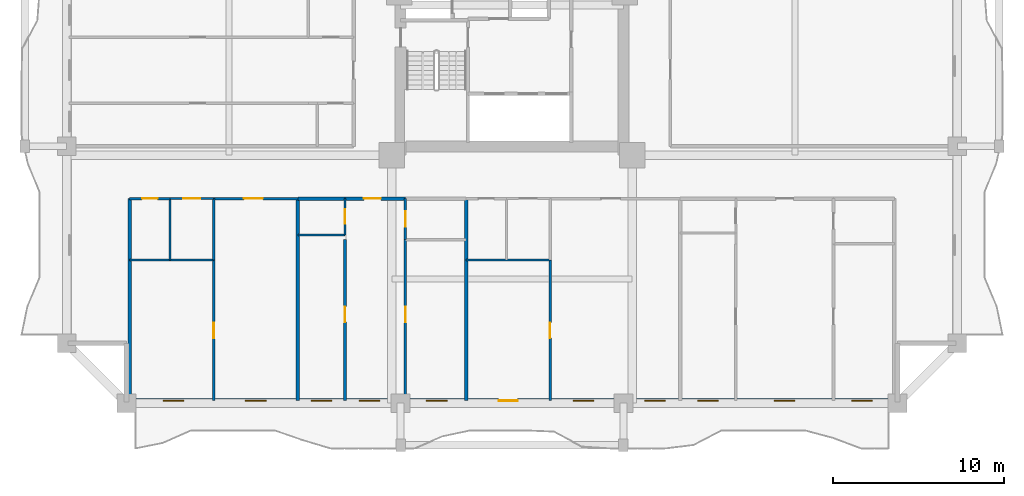
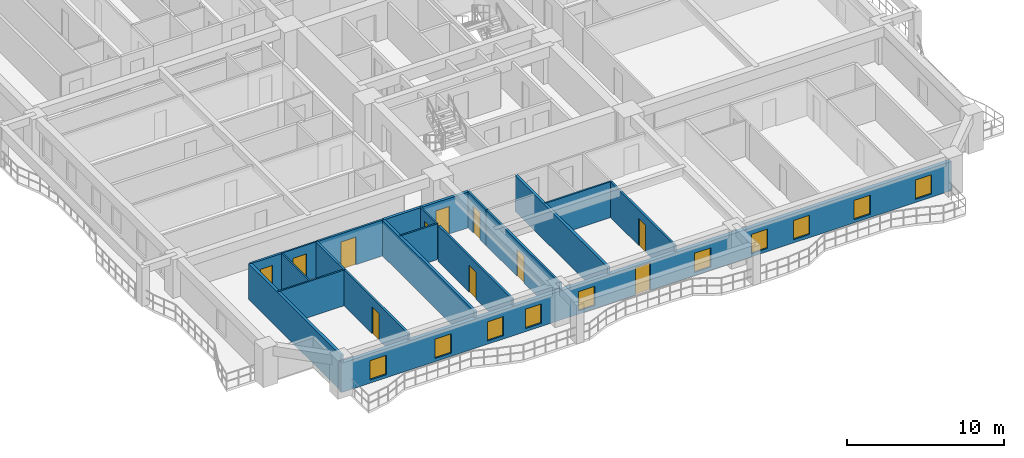
# One storey, part 2 of 15: 20 walls, 11 doors, 10 windows, 21 openings.
"""IFC4 building model written with IfcOpenShell, lengths in metres."""

from ifc_helpers import new_model, si_unit, direction, frame, frame_2d, origin, place, context, subcontext, project, spatial, rectangle, extrude, source, transform, mapped, material, layer, layer_set, type_object, element, fill, save


model = new_model("IFC4")

# Units and contexts
model_context = context("Model", 3, precision=1e-05, world=origin(), true_north=direction((0.0, 1.0)))
body_context = subcontext(model_context, "Body", "Model", "MODEL_VIEW")
ifc_project = project(units=[si_unit("LENGTHUNIT", "METRE"), si_unit("AREAUNIT", "SQUARE_METRE"), si_unit("VOLUMEUNIT", "CUBIC_METRE"), si_unit("PLANEANGLEUNIT", "RADIAN"), si_unit("MASSUNIT", "GRAM", prefix="KILO")], contexts=[model_context])

# Site, building, storey
site_placement = place(None, origin())
site = spatial("IfcSite", under=ifc_project, at=site_placement, CompositionType="ELEMENT")
building_placement = place(site_placement, origin())
building = spatial("IfcBuilding", under=site, at=building_placement, Name="Saelheon Loggia Tower", CompositionType="ELEMENT")
storey_placement = place(building_placement, frame((0.0, 0.0, 49.39990234375)))
storey = spatial("IfcBuildingStorey", under=building, at=storey_placement, Name="L15", CompositionType="ELEMENT", Elevation=49.39990234375)

# Wall, openings, windows, door
ifc_material_1 = material(Name="Architectural Precast Concrete C40/50", Category="concrete")
ifc_layer_1 = layer(ifc_material_1, 0.280029296875)
ifc_layer_set_1 = layer_set([ifc_layer_1], Name="Architectural Precast Concrete C40/50")
wall_type_1 = type_object("IfcWallType", Name="Wall_Ext_Loggia_280", PredefinedType="SOLIDWALL", material=ifc_layer_set_1)
wall_1_placement = place(storey_placement, frame((15.5, 3.139892578125, 0.0), z_axis=(0.0, 0.0, 1.0), x_axis=(1.0, 0.0, 0.0)))
wall_1 = element("IfcWall", 1, at=wall_1_placement, inside=storey, type_object=wall_type_1, Name="L15 South Loggia Inner Wall", PredefinedType="SOLIDWALL", context=body_context, shape_type="SweptSolid", body=[
    extrude(rectangle(XDim=45.0, YDim=0.280029296875, at=frame_2d((22.5, 0.0))), origin(), (0.0, 0.0, 1.0), 2.280029296875),
])
opening_1_placement = place(wall_1_placement, frame((2.135009765625, 0.0, 0.25)))
opening_1 = element("IfcOpeningElement", 2, at=opening_1_placement, cuts=wall_1, Name="Opening WN-03", PredefinedType="OPENING", context=body_context, shape_type="SweptSolid", body=[
    extrude(rectangle(XDim=1.199951171875, YDim=1.5, at=frame_2d((0.60009765625, 0.75))), frame((0.0, 0.152099609375, 0.0), z_axis=(0.0, -1.0, 0.0), x_axis=(1.0, 0.0, 0.0)), (0.0, 0.0, 1.0), 0.303955078125),
])
opening_2_placement = place(wall_1_placement, frame((6.9404296875, 0.0, 0.25)))
opening_2 = element("IfcOpeningElement", 3, at=opening_2_placement, cuts=wall_1, Name="Opening WN-03", PredefinedType="OPENING", context=body_context, shape_type="SweptSolid", body=[
    extrude(rectangle(XDim=1.199951171875, YDim=1.5, at=frame_2d((0.60009765625, 0.75))), frame((0.0, 0.152099609375, 0.0), z_axis=(0.0, -1.0, 0.0), x_axis=(1.0, 0.0, 0.0)), (0.0, 0.0, 1.0), 0.303955078125),
])
opening_3_placement = place(wall_1_placement, frame((10.775634765625, 0.0, 0.25)))
opening_3 = element("IfcOpeningElement", 4, at=opening_3_placement, cuts=wall_1, Name="Opening WN-03", PredefinedType="OPENING", context=body_context, shape_type="SweptSolid", body=[
    extrude(rectangle(XDim=1.199951171875, YDim=1.5, at=frame_2d((0.60009765625, 0.75))), frame((0.0, 0.152099609375, 0.0), z_axis=(0.0, -1.0, 0.0), x_axis=(1.0, 0.0, 0.0)), (0.0, 0.0, 1.0), 0.303955078125),
])
opening_4_placement = place(wall_1_placement, frame((13.580322265625, 0.0, 0.25)))
opening_4 = element("IfcOpeningElement", 5, at=opening_4_placement, cuts=wall_1, Name="Opening WN-03", PredefinedType="OPENING", context=body_context, shape_type="SweptSolid", body=[
    extrude(rectangle(XDim=1.199951171875, YDim=1.5, at=frame_2d((0.60009765625, 0.75))), frame((0.0, 0.152099609375, 0.0), z_axis=(0.0, -1.0, 0.0), x_axis=(1.0, 0.0, 0.0)), (0.0, 0.0, 1.0), 0.303955078125),
])
opening_5_placement = place(wall_1_placement, frame((17.505859375, 0.0, 0.25)))
opening_5 = element("IfcOpeningElement", 6, at=opening_5_placement, cuts=wall_1, Name="Opening WN-03", PredefinedType="OPENING", context=body_context, shape_type="SweptSolid", body=[
    extrude(rectangle(XDim=1.199951171875, YDim=1.5, at=frame_2d((0.60009765625, 0.75))), frame((0.0, 0.152099609375, 0.0), z_axis=(0.0, -1.0, 0.0), x_axis=(1.0, 0.0, 0.0)), (0.0, 0.0, 1.0), 0.303955078125),
])
opening_6_placement = place(wall_1_placement, frame((22.82177734375, 0.0, 0.0), z_axis=(0.0, 0.0, 1.0), x_axis=(-1.0, 0.0, 0.0)))
opening_6 = element("IfcOpeningElement", 7, at=opening_6_placement, cuts=wall_1, Name="Opening TD1", PredefinedType="OPENING", context=body_context, shape_type="SweptSolid", body=[
    extrude(rectangle(XDim=1.10009765625, YDim=2.14990234375, at=frame_2d((0.550048828125, 1.074951171875))), frame((0.0, 0.152099609375, 0.0), z_axis=(0.0, -1.0, 0.0), x_axis=(1.0, 0.0, 0.0)), (0.0, 0.0, 1.0), 0.303955078125),
])
opening_7_placement = place(wall_1_placement, frame((26.06591796875, 0.0, 0.25)))
opening_7 = element("IfcOpeningElement", 8, at=opening_7_placement, cuts=wall_1, Name="Opening WN-03", PredefinedType="OPENING", context=body_context, shape_type="SweptSolid", body=[
    extrude(rectangle(XDim=1.199951171875, YDim=1.5, at=frame_2d((0.60009765625, 0.75))), frame((0.0, 0.152099609375, 0.0), z_axis=(0.0, -1.0, 0.0), x_axis=(1.0, 0.0, 0.0)), (0.0, 0.0, 1.0), 0.303955078125),
])
opening_8_placement = place(wall_1_placement, frame((30.25537109375, 0.0, 0.25)))
opening_8 = element("IfcOpeningElement", 9, at=opening_8_placement, cuts=wall_1, Name="Opening WN-03", PredefinedType="OPENING", context=body_context, shape_type="SweptSolid", body=[
    extrude(rectangle(XDim=1.199951171875, YDim=1.5, at=frame_2d((0.60009765625, 0.75))), frame((0.0, 0.152099609375, 0.0), z_axis=(0.0, -1.0, 0.0), x_axis=(1.0, 0.0, 0.0)), (0.0, 0.0, 1.0), 0.303955078125),
])
opening_9_placement = place(wall_1_placement, frame((33.345703125, 0.0, 0.25)))
opening_9 = element("IfcOpeningElement", 10, at=opening_9_placement, cuts=wall_1, Name="Opening WN-03", PredefinedType="OPENING", context=body_context, shape_type="SweptSolid", body=[
    extrude(rectangle(XDim=1.199951171875, YDim=1.5, at=frame_2d((0.60009765625, 0.75))), frame((0.0, 0.152099609375, 0.0), z_axis=(0.0, -1.0, 0.0), x_axis=(1.0, 0.0, 0.0)), (0.0, 0.0, 1.0), 0.303955078125),
])
opening_10_placement = place(wall_1_placement, frame((37.8212890625, 0.0, 0.25)))
opening_10 = element("IfcOpeningElement", 11, at=opening_10_placement, cuts=wall_1, Name="Opening WN-03", PredefinedType="OPENING", context=body_context, shape_type="SweptSolid", body=[
    extrude(rectangle(XDim=1.199951171875, YDim=1.5, at=frame_2d((0.60009765625, 0.75))), frame((0.0, 0.152099609375, 0.0), z_axis=(0.0, -1.0, 0.0), x_axis=(1.0, 0.0, 0.0)), (0.0, 0.0, 1.0), 0.303955078125),
])
opening_11_placement = place(wall_1_placement, frame((42.341064453125, 0.0, 0.25)))
opening_11 = element("IfcOpeningElement", 12, at=opening_11_placement, cuts=wall_1, Name="Opening WN-03", PredefinedType="OPENING", context=body_context, shape_type="SweptSolid", body=[
    extrude(rectangle(XDim=1.199951171875, YDim=1.5, at=frame_2d((0.60009765625, 0.75))), frame((0.0, 0.152099609375, 0.0), z_axis=(0.0, -1.0, 0.0), x_axis=(1.0, 0.0, 0.0)), (0.0, 0.0, 1.0), 0.303955078125),
])
ifc_material_2 = material(Name="Thermal-Break Aluminium and Triple Low-E Glass", Category="aluminium")
window_type = type_object("IfcWindowType", Name="Win_Bedroom_1200x1500", PartitioningType="SINGLE_PANEL", PredefinedType="WINDOW", material=ifc_material_2)
shared_shape_1 = source(origin(), body_context, "Body", "SweptSolid", [
    extrude(rectangle(XDim=1.199951171875, YDim=1.5, at=frame_2d((0.60009765625, 0.75))), frame((0.0, 0.030029296875, 0.0), z_axis=(0.0, -1.0, 0.0), x_axis=(1.0, 0.0, 0.0)), (0.0, 0.0, 1.0), 0.06005859375),
])
window_1_placement = place(opening_1_placement, origin())
window_1 = element("IfcWindow", 13, at=window_1_placement, inside=storey, type_object=window_type, Name="L15 S Dwelling Window 1", OverallHeight=1.5, OverallWidth=1.199951171875, PartitioningType="SINGLE_PANEL", PredefinedType="WINDOW", context=body_context, shape_type="MappedRepresentation", body=[
    mapped(shared_shape_1, transform((0.0, 0.0, 0.0), scale=1.0)),
])
fill(opening_1, window_1)
window_2_placement = place(opening_2_placement, origin())
window_2 = element("IfcWindow", 14, at=window_2_placement, inside=storey, type_object=window_type, Name="L15 S Dwelling Window 2", OverallHeight=1.5, OverallWidth=1.199951171875, PartitioningType="SINGLE_PANEL", PredefinedType="WINDOW", context=body_context, shape_type="MappedRepresentation", body=[
    mapped(shared_shape_1, transform((0.0, 0.0, 0.0), scale=1.0)),
])
fill(opening_2, window_2)
window_3_placement = place(opening_3_placement, origin())
window_3 = element("IfcWindow", 15, at=window_3_placement, inside=storey, type_object=window_type, Name="L15 S Dwelling Window 3", OverallHeight=1.5, OverallWidth=1.199951171875, PartitioningType="SINGLE_PANEL", PredefinedType="WINDOW", context=body_context, shape_type="MappedRepresentation", body=[
    mapped(shared_shape_1, transform((0.0, 0.0, 0.0), scale=1.0)),
])
fill(opening_3, window_3)
window_4_placement = place(opening_4_placement, origin())
window_4 = element("IfcWindow", 16, at=window_4_placement, inside=storey, type_object=window_type, Name="L15 S Dwelling Window 4", OverallHeight=1.5, OverallWidth=1.199951171875, PartitioningType="SINGLE_PANEL", PredefinedType="WINDOW", context=body_context, shape_type="MappedRepresentation", body=[
    mapped(shared_shape_1, transform((0.0, 0.0, 0.0), scale=1.0)),
])
fill(opening_4, window_4)
window_5_placement = place(opening_5_placement, origin())
window_5 = element("IfcWindow", 17, at=window_5_placement, inside=storey, type_object=window_type, Name="L15 S Dwelling Window 5", OverallHeight=1.5, OverallWidth=1.199951171875, PartitioningType="SINGLE_PANEL", PredefinedType="WINDOW", context=body_context, shape_type="MappedRepresentation", body=[
    mapped(shared_shape_1, transform((0.0, 0.0, 0.0), scale=1.0)),
])
fill(opening_5, window_5)
window_6_placement = place(opening_7_placement, origin())
window_6 = element("IfcWindow", 18, at=window_6_placement, inside=storey, type_object=window_type, Name="L15 S Dwelling Window 7", OverallHeight=1.5, OverallWidth=1.199951171875, PartitioningType="SINGLE_PANEL", PredefinedType="WINDOW", context=body_context, shape_type="MappedRepresentation", body=[
    mapped(shared_shape_1, transform((0.0, 0.0, 0.0), scale=1.0)),
])
fill(opening_7, window_6)
window_7_placement = place(opening_8_placement, origin())
window_7 = element("IfcWindow", 19, at=window_7_placement, inside=storey, type_object=window_type, Name="L15 S Dwelling Window 8", OverallHeight=1.5, OverallWidth=1.199951171875, PartitioningType="SINGLE_PANEL", PredefinedType="WINDOW", context=body_context, shape_type="MappedRepresentation", body=[
    mapped(shared_shape_1, transform((0.0, 0.0, 0.0), scale=1.0)),
])
fill(opening_8, window_7)
window_8_placement = place(opening_9_placement, origin())
window_8 = element("IfcWindow", 20, at=window_8_placement, inside=storey, type_object=window_type, Name="L15 S Dwelling Window 9", OverallHeight=1.5, OverallWidth=1.199951171875, PartitioningType="SINGLE_PANEL", PredefinedType="WINDOW", context=body_context, shape_type="MappedRepresentation", body=[
    mapped(shared_shape_1, transform((0.0, 0.0, 0.0), scale=1.0)),
])
fill(opening_9, window_8)
window_9_placement = place(opening_10_placement, origin())
window_9 = element("IfcWindow", 21, at=window_9_placement, inside=storey, type_object=window_type, Name="L15 S Dwelling Window 10", OverallHeight=1.5, OverallWidth=1.199951171875, PartitioningType="SINGLE_PANEL", PredefinedType="WINDOW", context=body_context, shape_type="MappedRepresentation", body=[
    mapped(shared_shape_1, transform((0.0, 0.0, 0.0), scale=1.0)),
])
fill(opening_10, window_9)
window_10_placement = place(opening_11_placement, origin())
window_10 = element("IfcWindow", 22, at=window_10_placement, inside=storey, type_object=window_type, Name="L15 S Dwelling Window 11", OverallHeight=1.5, OverallWidth=1.199951171875, PartitioningType="SINGLE_PANEL", PredefinedType="WINDOW", context=body_context, shape_type="MappedRepresentation", body=[
    mapped(shared_shape_1, transform((0.0, 0.0, 0.0), scale=1.0)),
])
fill(opening_11, window_10)
ifc_material_3 = material(Name="Thermal-Break Aluminium Glazed Door", Category="aluminium")
door_type_1 = type_object("IfcDoorType", Name="Door_Terrace_TD1", OperationType="NOTDEFINED", PredefinedType="DOOR", material=ifc_material_3)
shared_shape_2 = source(origin(), body_context, "Body", "SweptSolid", [
    extrude(rectangle(XDim=1.10009765625, YDim=2.14990234375, at=frame_2d((0.550048828125, 1.074951171875))), frame((0.0, 0.02490234375, 0.0), z_axis=(0.0, -1.0, 0.0), x_axis=(1.0, 0.0, 0.0)), (0.0, 0.0, 1.0), 0.050048828125),
])
door_1_placement = place(opening_6_placement, origin())
door_1 = element("IfcDoor", 23, at=door_1_placement, inside=storey, type_object=door_type_1, Name="L15 S Loggia Access Door", OperationType="SINGLE_SWING_RIGHT", OverallHeight=2.14990234375, OverallWidth=1.10009765625, PredefinedType="DOOR", context=body_context, shape_type="MappedRepresentation", body=[
    mapped(shared_shape_2, transform((0.0, 0.0, 0.0), scale=1.0)),
])
fill(opening_6, door_1)

# Wall
ifc_material_4 = material(Name="Lightweight Autoclaved Aerated Concrete Block and Acoustic Gypsum", Category="concrete")
ifc_layer_2 = layer(ifc_material_4, 0.14990234375)
ifc_layer_set_2 = layer_set([ifc_layer_2], Name="Lightweight Autoclaved Aerated Concrete Block and Acoustic Gypsum")
wall_type_2 = type_object("IfcWallType", Name="Wall_Part_150", PredefinedType="PARTITIONING", material=ifc_layer_set_2)
wall_2_placement = place(storey_placement, frame((20.580078125, 14.949951171875, 0.0), z_axis=(0.0, 0.0, 1.0), x_axis=(0.0, -1.0, 0.0)))
element("IfcWall", 24, at=wall_2_placement, inside=storey, type_object=wall_type_2, Name="L15 S Partition U04", PredefinedType="PARTITIONING", context=body_context, shape_type="SweptSolid", body=[
    extrude(rectangle(XDim=3.599853515625, YDim=0.14990234375, at=frame_2d((1.7998046875, 0.0))), origin(), (0.0, 0.0, 1.0), 2.7900390625),
])

# Wall, opening, door
wall_3_placement = place(storey_placement, frame((20.580078125, 11.35009765625, 0.0), z_axis=(0.0, 0.0, 1.0), x_axis=(0.0, -1.0, 0.0)))
wall_3 = element("IfcWall", 25, at=wall_3_placement, inside=storey, type_object=wall_type_2, Name="L15 S Partition U05", PredefinedType="PARTITIONING", context=body_context, shape_type="SweptSolid", body=[
    extrude(rectangle(XDim=8.2001953125, YDim=0.14990234375, at=frame_2d((4.10009765625, 0.0))), origin(), (0.0, 0.0, 1.0), 2.7900390625),
])
opening_12_placement = place(wall_3_placement, frame((3.64990234375, 0.0, 0.0)))
opening_12 = element("IfcOpeningElement", 26, at=opening_12_placement, cuts=wall_3, Name="Opening D-IN2", PredefinedType="OPENING", context=body_context, shape_type="SweptSolid", body=[
    extrude(rectangle(XDim=0.89990234375, YDim=2.10009765625, at=frame_2d((0.449951171875, 1.050048828125))), frame((0.0, 0.0869140625, 0.0), z_axis=(0.0, -1.0, 0.0), x_axis=(1.0, 0.0, 0.0)), (0.0, 0.0, 1.0), 0.173828125),
])
ifc_material_5 = material(Name="Engineered Oak Flush Door", Category="timber")
door_type_2 = type_object("IfcDoorType", Name="Door_Int_900", OperationType="NOTDEFINED", PredefinedType="DOOR", material=ifc_material_5)
shared_shape_3 = source(origin(), body_context, "Body", "SweptSolid", [
    extrude(rectangle(XDim=0.89990234375, YDim=2.10009765625, at=frame_2d((0.449951171875, 1.050048828125))), frame((0.0, 0.02490234375, 0.0), z_axis=(0.0, -1.0, 0.0), x_axis=(1.0, 0.0, 0.0)), (0.0, 0.0, 1.0), 0.050048828125),
])
door_2_placement = place(opening_12_placement, origin())
door_2 = element("IfcDoor", 27, at=door_2_placement, inside=storey, type_object=door_type_2, Name="L15 Reading Alcove Door", OperationType="SINGLE_SWING_LEFT", OverallHeight=2.10009765625, OverallWidth=0.89990234375, PredefinedType="DOOR", context=body_context, shape_type="MappedRepresentation", body=[
    mapped(shared_shape_3, transform((0.0, 0.0, 0.0), scale=1.0)),
])
fill(opening_12, door_2)

wall_4_placement = place(storey_placement, frame((15.679931640625, 14.949951171875, 0.0), z_axis=(0.0, 0.0, 1.0), x_axis=(1.0, 0.0, 0.0)))
wall_4 = element("IfcWall", 28, at=wall_4_placement, inside=storey, type_object=wall_type_2, Name="L15 S Partition V07", PredefinedType="PARTITIONING", context=body_context, shape_type="SweptSolid", body=[
    extrude(rectangle(XDim=2.35009765625, YDim=0.14990234375, at=frame_2d((1.175048828125, 0.0))), origin(), (0.0, 0.0, 1.0), 2.7900390625),
])
opening_13_placement = place(wall_4_placement, frame((0.72509765625, 0.0, 0.0)))
opening_13 = element("IfcOpeningElement", 29, at=opening_13_placement, cuts=wall_4, Name="Opening D-IN2", PredefinedType="OPENING", context=body_context, shape_type="SweptSolid", body=[
    extrude(rectangle(XDim=0.89990234375, YDim=2.10009765625, at=frame_2d((0.449951171875, 1.050048828125))), frame((0.0, 0.0869140625, 0.0), z_axis=(0.0, -1.0, 0.0), x_axis=(1.0, 0.0, 0.0)), (0.0, 0.0, 1.0), 0.173828125),
])
door_3_placement = place(opening_13_placement, origin())
door_3 = element("IfcDoor", 30, at=door_3_placement, inside=storey, type_object=door_type_2, Name="L15 Community Pantry Door", OperationType="SINGLE_SWING_RIGHT", OverallHeight=2.10009765625, OverallWidth=0.89990234375, PredefinedType="DOOR", context=body_context, shape_type="MappedRepresentation", body=[
    mapped(shared_shape_3, transform((0.0, 0.0, 0.0), scale=1.0)),
])
fill(opening_13, door_3)

wall_5_placement = place(storey_placement, frame((20.580078125, 14.949951171875, 0.0), z_axis=(0.0, 0.0, 1.0), x_axis=(1.0, 0.0, 0.0)))
wall_5 = element("IfcWall", 31, at=wall_5_placement, inside=storey, type_object=wall_type_2, Name="L15 S Partition V09", PredefinedType="PARTITIONING", context=body_context, shape_type="SweptSolid", body=[
    extrude(rectangle(XDim=4.920654296875, YDim=0.14990234375, at=frame_2d((2.46044921875, 0.0))), origin(), (0.0, 0.0, 1.0), 2.7900390625),
])
opening_14_placement = place(wall_5_placement, frame((1.77294921875, 0.0, 0.0)))
opening_14 = element("IfcOpeningElement", 32, at=opening_14_placement, cuts=wall_5, Name="Opening D-FD2", PredefinedType="OPENING", context=body_context, shape_type="SweptSolid", body=[
    extrude(rectangle(XDim=1.10009765625, YDim=2.14990234375, at=frame_2d((0.550048828125, 1.074951171875))), frame((0.0, 0.0869140625, 0.0), z_axis=(0.0, -1.0, 0.0), x_axis=(1.0, 0.0, 0.0)), (0.0, 0.0, 1.0), 0.173828125),
])
ifc_material_6 = material(Name="Galvanised Steel Fire Door", Category="steel")
door_type_3 = type_object("IfcDoorType", Name="Door_Fire_FD60_1100", OperationType="NOTDEFINED", PredefinedType="DOOR", material=ifc_material_6)
door_4_placement = place(opening_14_placement, origin())
door_4 = element("IfcDoor", 33, at=door_4_placement, inside=storey, type_object=door_type_3, Name="L15 Community Reading Library Door A", OperationType="SINGLE_SWING_RIGHT", OverallHeight=2.14990234375, OverallWidth=1.10009765625, PredefinedType="DOOR", context=body_context, shape_type="MappedRepresentation", body=[
    mapped(shared_shape_2, transform((0.0, 0.0, 0.0), scale=1.0)),
])
fill(opening_14, door_4)

wall_6_placement = place(storey_placement, frame((28.25048828125, 12.550048828125, 0.0), z_axis=(0.0, 0.0, 1.0), x_axis=(0.0, -1.0, 0.0)))
wall_6 = element("IfcWall", 34, at=wall_6_placement, inside=storey, type_object=wall_type_2, Name="L15 S Partition U17", PredefinedType="PARTITIONING", context=body_context, shape_type="SweptSolid", body=[
    extrude(rectangle(XDim=9.400146484375, YDim=0.14990234375, at=frame_2d((4.7001953125, 0.0))), origin(), (0.0, 0.0, 1.0), 2.7900390625),
])
opening_15_placement = place(wall_6_placement, frame((3.915771484375, 0.0, 0.0)))
opening_15 = element("IfcOpeningElement", 35, at=opening_15_placement, cuts=wall_6, Name="Opening D-IN2", PredefinedType="OPENING", context=body_context, shape_type="SweptSolid", body=[
    extrude(rectangle(XDim=0.89990234375, YDim=2.10009765625, at=frame_2d((0.449951171875, 1.050048828125))), frame((0.0, 0.0869140625, 0.0), z_axis=(0.0, -1.0, 0.0), x_axis=(1.0, 0.0, 0.0)), (0.0, 0.0, 1.0), 0.173828125),
])
door_5_placement = place(opening_15_placement, origin())
door_5 = element("IfcDoor", 36, at=door_5_placement, inside=storey, type_object=door_type_2, Name="Unit U01 Kitchen Door", OperationType="SINGLE_SWING_LEFT", OverallHeight=2.10009765625, OverallWidth=0.89990234375, PredefinedType="DOOR", context=body_context, shape_type="MappedRepresentation", body=[
    mapped(shared_shape_3, transform((0.0, 0.0, 0.0), scale=1.0)),
])
fill(opening_15, door_5)

wall_7_placement = place(storey_placement, frame((31.780029296875, 14.949951171875, 0.0), z_axis=(0.0, 0.0, 1.0), x_axis=(0.0, -1.0, 0.0)))
wall_7 = element("IfcWall", 37, at=wall_7_placement, inside=storey, type_object=wall_type_2, Name="L15 S Partition U18", PredefinedType="PARTITIONING", context=body_context, shape_type="SweptSolid", body=[
    extrude(rectangle(XDim=2.39990234375, YDim=0.14990234375, at=frame_2d((1.199951171875, 0.0))), origin(), (0.0, 0.0, 1.0), 2.7900390625),
])
opening_16_placement = place(wall_7_placement, frame((0.75, 0.0, 0.0)))
opening_16 = element("IfcOpeningElement", 38, at=opening_16_placement, cuts=wall_7, Name="Opening D-IN2", PredefinedType="OPENING", context=body_context, shape_type="SweptSolid", body=[
    extrude(rectangle(XDim=0.89990234375, YDim=2.10009765625, at=frame_2d((0.449951171875, 1.050048828125))), frame((0.0, 0.0869140625, 0.0), z_axis=(0.0, -1.0, 0.0), x_axis=(1.0, 0.0, 0.0)), (0.0, 0.0, 1.0), 0.173828125),
])
door_6_placement = place(opening_16_placement, origin())
door_6 = element("IfcDoor", 39, at=door_6_placement, inside=storey, type_object=door_type_2, Name="Unit U01 Dressing Closet Door", OperationType="SINGLE_SWING_RIGHT", OverallHeight=2.10009765625, OverallWidth=0.89990234375, PredefinedType="DOOR", context=body_context, shape_type="MappedRepresentation", body=[
    mapped(shared_shape_3, transform((0.0, 0.0, 0.0), scale=1.0)),
])
fill(opening_16, door_6)

wall_8_placement = place(storey_placement, frame((31.780029296875, 12.550048828125, 0.0), z_axis=(0.0, 0.0, 1.0), x_axis=(0.0, -1.0, 0.0)))
wall_8 = element("IfcWall", 40, at=wall_8_placement, inside=storey, type_object=wall_type_2, Name="L15 S Partition U19", PredefinedType="PARTITIONING", context=body_context, shape_type="SweptSolid", body=[
    extrude(rectangle(XDim=9.400146484375, YDim=0.14990234375, at=frame_2d((4.7001953125, 0.0))), origin(), (0.0, 0.0, 1.0), 2.7900390625),
])
opening_17_placement = place(wall_8_placement, frame((3.915771484375, 0.0, 0.0)))
opening_17 = element("IfcOpeningElement", 41, at=opening_17_placement, cuts=wall_8, Name="Opening D-IN2", PredefinedType="OPENING", context=body_context, shape_type="SweptSolid", body=[
    extrude(rectangle(XDim=0.89990234375, YDim=2.10009765625, at=frame_2d((0.449951171875, 1.050048828125))), frame((0.0, 0.0869140625, 0.0), z_axis=(0.0, -1.0, 0.0), x_axis=(1.0, 0.0, 0.0)), (0.0, 0.0, 1.0), 0.173828125),
])
door_7_placement = place(opening_17_placement, origin())
door_7 = element("IfcDoor", 42, at=door_7_placement, inside=storey, type_object=door_type_2, Name="Unit U01 Bedroom 1 Door", OperationType="SINGLE_SWING_LEFT", OverallHeight=2.10009765625, OverallWidth=0.89990234375, PredefinedType="DOOR", context=body_context, shape_type="MappedRepresentation", body=[
    mapped(shared_shape_3, transform((0.0, 0.0, 0.0), scale=1.0)),
])
fill(opening_17, door_7)

wall_9_placement = place(storey_placement, frame((40.2216796875, 11.35009765625, 0.0), z_axis=(0.0, 0.0, 1.0), x_axis=(0.0, -1.0, 0.0)))
wall_9 = element("IfcWall", 43, at=wall_9_placement, inside=storey, type_object=wall_type_2, Name="L15 S Partition U23", PredefinedType="PARTITIONING", context=body_context, shape_type="SweptSolid", body=[
    extrude(rectangle(XDim=8.2001953125, YDim=0.14990234375, at=frame_2d((4.10009765625, 0.0))), origin(), (0.0, 0.0, 1.0), 2.7900390625),
])
opening_18_placement = place(wall_9_placement, frame((3.64990234375, 0.0, 0.0)))
opening_18 = element("IfcOpeningElement", 44, at=opening_18_placement, cuts=wall_9, Name="Opening D-IN2", PredefinedType="OPENING", context=body_context, shape_type="SweptSolid", body=[
    extrude(rectangle(XDim=0.89990234375, YDim=2.10009765625, at=frame_2d((0.449951171875, 1.050048828125))), frame((0.0, 0.0869140625, 0.0), z_axis=(0.0, -1.0, 0.0), x_axis=(1.0, 0.0, 0.0)), (0.0, 0.0, 1.0), 0.173828125),
])
door_8_placement = place(opening_18_placement, origin())
door_8 = element("IfcDoor", 45, at=door_8_placement, inside=storey, type_object=door_type_2, Name="L15 Reading Alcove Door", OperationType="SINGLE_SWING_RIGHT", OverallHeight=2.10009765625, OverallWidth=0.89990234375, PredefinedType="DOOR", context=body_context, shape_type="MappedRepresentation", body=[
    mapped(shared_shape_3, transform((0.0, 0.0, 0.0), scale=1.0)),
])
fill(opening_18, door_8)

# Walls
ifc_material_7 = material(Name="Double Acoustic Stud and Fireboard Partition", Category="gypsum")
ifc_layer_3 = layer(ifc_material_7, 0.199951171875)
ifc_layer_set_3 = layer_set([ifc_layer_3], Name="Double Acoustic Stud and Fireboard Partition")
wall_type_3 = type_object("IfcWallType", Name="Wall_Party_200", PredefinedType="PARTITIONING", material=ifc_layer_set_3)
for number, where, z_axis, x_axis, name in (
    (46, (15.679931640625, 14.949951171875, 0.0), (0.0, 0.0, 1.0), (0.0, -1.0, 0.0), "L15 S Partition U01"),
    (47, (25.500732421875, 14.949951171875, 0.0), (0.0, 0.0, 1.0), (0.0, -1.0, 0.0), "L15 S Partition U10"),
):
    element("IfcWall", number, at=place(storey_placement, frame(where, z_axis=z_axis, x_axis=x_axis)), inside=storey, type_object=wall_type_3, Name=name, PredefinedType="PARTITIONING", context=body_context, shape_type="SweptSolid", body=[
        extrude(rectangle(XDim=11.800048828125, YDim=0.199951171875, at=frame_2d((5.89990234375, 0.0))), origin(), (0.0, 0.0, 1.0), 2.7900390625),
    ])
wall_10_placement = place(storey_placement, frame((25.500732421875, 14.949951171875, 0.0), z_axis=(0.0, 0.0, 1.0), x_axis=(1.0, 0.0, 0.0)))
element("IfcWall", 48, at=wall_10_placement, inside=storey, type_object=wall_type_3, Name="L15 S Partition V11", PredefinedType="PARTITIONING", context=body_context, shape_type="SweptSolid", body=[
    extrude(rectangle(XDim=2.749755859375, YDim=0.199951171875, at=frame_2d((1.375, 0.0))), origin(), (0.0, 0.0, 1.0), 2.7900390625),
])

# Wall, opening, door
wall_11_placement = place(storey_placement, frame((28.25048828125, 14.949951171875, 0.0), z_axis=(0.0, 0.0, 1.0), x_axis=(1.0, 0.0, 0.0)))
wall_11 = element("IfcWall", 49, at=wall_11_placement, inside=storey, type_object=wall_type_3, Name="L15 S Partition V12", PredefinedType="PARTITIONING", context=body_context, shape_type="SweptSolid", body=[
    extrude(rectangle(XDim=3.529541015625, YDim=0.199951171875, at=frame_2d((1.7646484375, 0.0))), origin(), (0.0, 0.0, 1.0), 2.7900390625),
])
opening_19_placement = place(wall_11_placement, frame((1.097412109375, 0.0, 0.0)))
opening_19 = element("IfcOpeningElement", 50, at=opening_19_placement, cuts=wall_11, Name="Opening D-FD1", PredefinedType="OPENING", context=body_context, shape_type="SweptSolid", body=[
    extrude(rectangle(XDim=1.0, YDim=2.14990234375, at=frame_2d((0.5, 1.074951171875))), frame((0.0, 0.112060546875, 0.0), z_axis=(0.0, -1.0, 0.0), x_axis=(1.0, 0.0, 0.0)), (0.0, 0.0, 1.0), 0.223876953125),
])
ifc_material_8 = material(Name="Fire-Rated Engineered Timber Entrance Door", Category="wood")
door_type_4 = type_object("IfcDoorType", Name="Door_Flat_FD30S", OperationType="NOTDEFINED", PredefinedType="DOOR", material=ifc_material_8)
shared_shape_4 = source(origin(), body_context, "Body", "SweptSolid", [
    extrude(rectangle(XDim=1.0, YDim=2.14990234375, at=frame_2d((0.5, 1.074951171875))), frame((0.0, 0.02490234375, 0.0), z_axis=(0.0, -1.0, 0.0), x_axis=(1.0, 0.0, 0.0)), (0.0, 0.0, 1.0), 0.050048828125),
])
door_9_placement = place(opening_19_placement, origin())
door_9 = element("IfcDoor", 51, at=door_9_placement, inside=storey, type_object=door_type_4, Name="Unit U01 Entrance Door", OperationType="SINGLE_SWING_LEFT", OverallHeight=2.14990234375, OverallWidth=1.0, PredefinedType="DOOR", context=body_context, shape_type="MappedRepresentation", body=[
    mapped(shared_shape_4, transform((0.0, 0.0, 0.0), scale=1.0)),
])
fill(opening_19, door_9)

# Walls
wall_12_placement = place(storey_placement, frame((35.321533203125, 14.949951171875, 0.0), z_axis=(0.0, 0.0, 1.0), x_axis=(0.0, -1.0, 0.0)))
element("IfcWall", 52, at=wall_12_placement, inside=storey, type_object=wall_type_3, Name="L15 S Partition U20", PredefinedType="PARTITIONING", context=body_context, shape_type="SweptSolid", body=[
    extrude(rectangle(XDim=11.800048828125, YDim=0.199951171875, at=frame_2d((5.89990234375, 0.0))), origin(), (0.0, 0.0, 1.0), 2.7900390625),
])
ifc_material_9 = material(Name="Moisture-Resistant Cement Board Partition", Category="gypsum")
ifc_layer_4 = layer(ifc_material_9, 0.1201171875)
ifc_layer_set_4 = layer_set([ifc_layer_4], Name="Moisture-Resistant Cement Board Partition")
wall_type_4 = type_object("IfcWallType", Name="Wall_WetPart_120", PredefinedType="PARTITIONING", material=ifc_layer_set_4)
wall_13_placement = place(storey_placement, frame((18.030029296875, 14.949951171875, 0.0), z_axis=(0.0, 0.0, 1.0), x_axis=(0.0, -1.0, 0.0)))
element("IfcWall", 53, at=wall_13_placement, inside=storey, type_object=wall_type_4, Name="L15 S Partition U03", PredefinedType="PARTITIONING", context=body_context, shape_type="SweptSolid", body=[
    extrude(rectangle(XDim=3.599853515625, YDim=0.1201171875, at=frame_2d((1.7998046875, 0.0))), origin(), (0.0, 0.0, 1.0), 2.7900390625),
])
wall_14_placement = place(storey_placement, frame((15.679931640625, 11.35009765625, 0.0), z_axis=(0.0, 0.0, 1.0), x_axis=(1.0, 0.0, 0.0)))
element("IfcWall", 54, at=wall_14_placement, inside=storey, type_object=wall_type_4, Name="L15 S Partition V06", PredefinedType="PARTITIONING", context=body_context, shape_type="SweptSolid", body=[
    extrude(rectangle(XDim=4.900146484375, YDim=0.1201171875, at=frame_2d((2.4501953125, 0.0))), origin(), (0.0, 0.0, 1.0), 2.7900390625),
])

# Wall, opening, door
wall_15_placement = place(storey_placement, frame((18.030029296875, 14.949951171875, 0.0), z_axis=(0.0, 0.0, 1.0), x_axis=(1.0, 0.0, 0.0)))
wall_15 = element("IfcWall", 55, at=wall_15_placement, inside=storey, type_object=wall_type_4, Name="L15 S Partition V08", PredefinedType="PARTITIONING", context=body_context, shape_type="SweptSolid", body=[
    extrude(rectangle(XDim=2.550048828125, YDim=0.1201171875, at=frame_2d((1.27490234375, 0.0))), origin(), (0.0, 0.0, 1.0), 2.7900390625),
])
opening_20_placement = place(wall_15_placement, frame((0.77490234375, 0.0, 0.0)))
opening_20 = element("IfcOpeningElement", 56, at=opening_20_placement, cuts=wall_15, Name="Opening D-AC1", PredefinedType="OPENING", context=body_context, shape_type="SweptSolid", body=[
    extrude(rectangle(XDim=1.0, YDim=2.10009765625, at=frame_2d((0.5, 1.050048828125))), frame((0.0, 0.072021484375, 0.0), z_axis=(0.0, -1.0, 0.0), x_axis=(1.0, 0.0, 0.0)), (0.0, 0.0, 1.0), 0.14404296875),
])
ifc_material_10 = material(Name="Accessible Laminate Flush Door", Category="timber")
door_type_5 = type_object("IfcDoorType", Name="Door_Acc_1000", OperationType="NOTDEFINED", PredefinedType="DOOR", material=ifc_material_10)
shared_shape_5 = source(origin(), body_context, "Body", "SweptSolid", [
    extrude(rectangle(XDim=1.0, YDim=2.10009765625, at=frame_2d((0.5, 1.050048828125))), frame((0.0, 0.02490234375, 0.0), z_axis=(0.0, -1.0, 0.0), x_axis=(1.0, 0.0, 0.0)), (0.0, 0.0, 1.0), 0.050048828125),
])
door_10_placement = place(opening_20_placement, origin())
door_10 = element("IfcDoor", 57, at=door_10_placement, inside=storey, type_object=door_type_5, Name="L15 Common Washroom Door", OperationType="SINGLE_SWING_LEFT", OverallHeight=2.10009765625, OverallWidth=1.0, PredefinedType="DOOR", context=body_context, shape_type="MappedRepresentation", body=[
    mapped(shared_shape_5, transform((0.0, 0.0, 0.0), scale=1.0)),
])
fill(opening_20, door_10)

# Wall
wall_16_placement = place(storey_placement, frame((25.500732421875, 12.830078125, 0.0), z_axis=(0.0, 0.0, 1.0), x_axis=(1.0, 0.0, 0.0)))
element("IfcWall", 58, at=wall_16_placement, inside=storey, type_object=wall_type_4, Name="L15 S Partition V14", PredefinedType="PARTITIONING", context=body_context, shape_type="SweptSolid", body=[
    extrude(rectangle(XDim=2.749755859375, YDim=0.1201171875, at=frame_2d((1.375, 0.0))), origin(), (0.0, 0.0, 1.0), 2.7900390625),
])

# Wall, opening, door
wall_17_placement = place(storey_placement, frame((28.25048828125, 14.949951171875, 0.0), z_axis=(0.0, 0.0, 1.0), x_axis=(0.0, -1.0, 0.0)))
wall_17 = element("IfcWall", 59, at=wall_17_placement, inside=storey, type_object=wall_type_4, Name="L15 S Partition U16", PredefinedType="PARTITIONING", context=body_context, shape_type="SweptSolid", body=[
    extrude(rectangle(XDim=2.119873046875, YDim=0.1201171875, at=frame_2d((1.06005859375, 0.0))), origin(), (0.0, 0.0, 1.0), 2.7900390625),
])
opening_21_placement = place(wall_17_placement, frame((0.635009765625, 0.0, 0.0)))
opening_21 = element("IfcOpeningElement", 60, at=opening_21_placement, cuts=wall_17, Name="Opening D-BT1", PredefinedType="OPENING", context=body_context, shape_type="SweptSolid", body=[
    extrude(rectangle(XDim=0.85009765625, YDim=2.050048828125, at=frame_2d((0.425048828125, 1.02490234375))), frame((0.0, 0.072021484375, 0.0), z_axis=(0.0, -1.0, 0.0), x_axis=(1.0, 0.0, 0.0)), (0.0, 0.0, 1.0), 0.14404296875),
])
ifc_material_11 = material(Name="Moisture-Resistant Laminate Timber Door", Category="wood")
door_type_6 = type_object("IfcDoorType", Name="Door_Bath_850", OperationType="NOTDEFINED", PredefinedType="DOOR", material=ifc_material_11)
shared_shape_6 = source(origin(), body_context, "Body", "SweptSolid", [
    extrude(rectangle(XDim=0.85009765625, YDim=2.050048828125, at=frame_2d((0.425048828125, 1.02490234375))), frame((0.0, 0.02490234375, 0.0), z_axis=(0.0, -1.0, 0.0), x_axis=(1.0, 0.0, 0.0)), (0.0, 0.0, 1.0), 0.050048828125),
])
door_11_placement = place(opening_21_placement, origin())
door_11 = element("IfcDoor", 61, at=door_11_placement, inside=storey, type_object=door_type_6, Name="Unit U01 Bathroom Door", OperationType="SINGLE_SWING_RIGHT", OverallHeight=2.050048828125, OverallWidth=0.85009765625, PredefinedType="DOOR", context=body_context, shape_type="MappedRepresentation", body=[
    mapped(shared_shape_6, transform((0.0, 0.0, 0.0), scale=1.0)),
])
fill(opening_21, door_11)

# Wall
wall_18_placement = place(storey_placement, frame((35.321533203125, 11.35009765625, 0.0), z_axis=(0.0, 0.0, 1.0), x_axis=(1.0, 0.0, 0.0)))
element("IfcWall", 62, at=wall_18_placement, inside=storey, type_object=wall_type_4, Name="L15 S Partition V24", PredefinedType="PARTITIONING", context=body_context, shape_type="SweptSolid", body=[
    extrude(rectangle(XDim=4.900146484375, YDim=0.1201171875, at=frame_2d((2.4501953125, 0.0))), origin(), (0.0, 0.0, 1.0), 2.7900390625),
])

save(model, "model.ifc")
